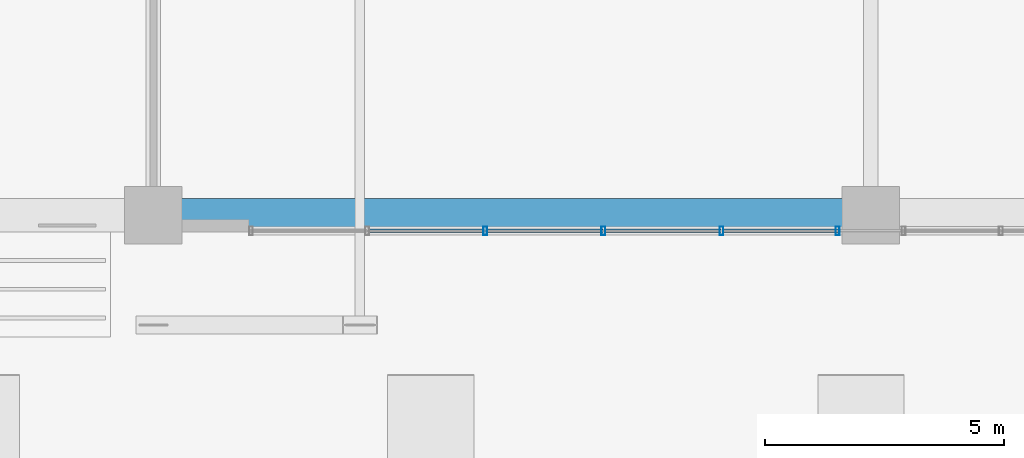
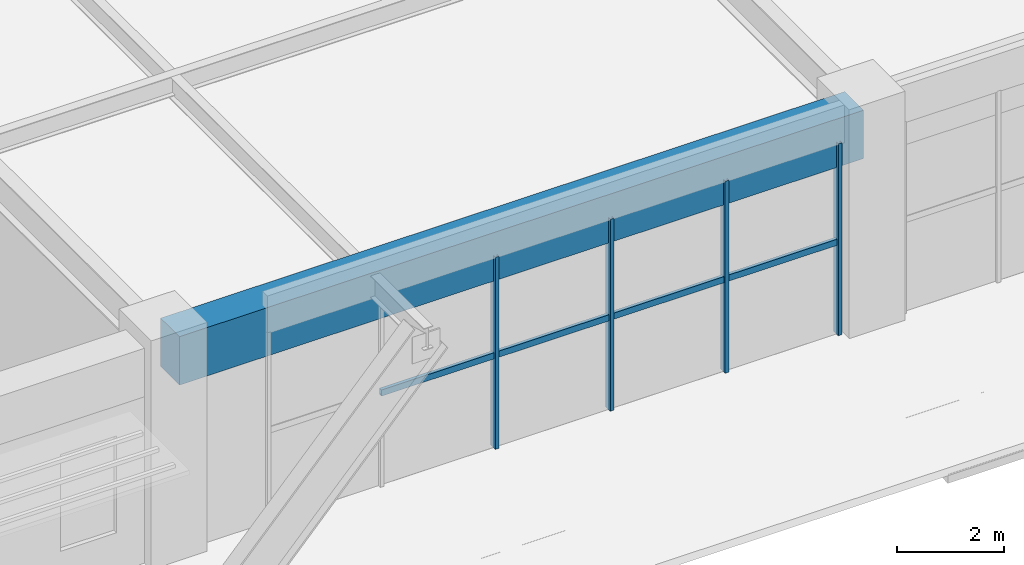
# One storey, part 6 of 40: 8 members, 1 beam, 1 element without a shape of its own.
"""IFC4 building model written with IfcOpenShell, lengths in metres."""

from ifc_helpers import new_model, si_unit, direction, frame, origin, origin_2d, place, context, subcontext, project, spatial, rectangle, hollow_rectangle, extrude, source, transform, mapped, material, material_profile, profile_set, type_object, element, aggregate, save


model = new_model("IFC4")

# Units and contexts
model_context = context("Model", 3, precision=1e-05, world=origin(), true_north=direction((0.0, 1.0)))
body_context = subcontext(model_context, "Body", "Model", "MODEL_VIEW")
ifc_project = project(units=[si_unit("LENGTHUNIT", "METRE"), si_unit("AREAUNIT", "SQUARE_METRE"), si_unit("VOLUMEUNIT", "CUBIC_METRE"), si_unit("PLANEANGLEUNIT", "RADIAN"), si_unit("MASSUNIT", "GRAM", prefix="KILO")], contexts=[model_context])

# Site, building, storey
site_placement = place(None, origin())
site = spatial("IfcSite", under=ifc_project, at=site_placement, CompositionType="ELEMENT")
building_placement = place(site_placement, origin())
building = spatial("IfcBuilding", under=site, at=building_placement, Name="Trelvane Seafront Commons", CompositionType="ELEMENT")
storey_placement = place(building_placement, origin())
storey = spatial("IfcBuildingStorey", under=building, at=storey_placement, Name="L00", CompositionType="ELEMENT", Elevation=0.0)

# Beam
ifc_material_1 = material(Name="Concrete C50/60", Category="concrete")
ifc_material_profile_1 = material_profile(ifc_material_1, rectangle(XDim=0.699951171875, YDim=1.10009765625, at=origin_2d()), Name="RC-700x1100")
ifc_profile_set_1 = profile_set([ifc_material_profile_1], Name="Concrete C50/60")
beam_type = type_object("IfcBeamType", Name="STR-TBM-RC700x1100", PredefinedType="T_BEAM", material=ifc_profile_set_1)
shared_shape_1 = source(origin(), body_context, "Body", "SweptSolid", [
    extrude(rectangle(XDim=0.699951171875, YDim=1.10009765625, at=origin_2d()), origin(), (0.0, 0.0, 1.0), 14.699951171875),
])
beam_placement = place(storey_placement, frame((15.75, 3.949951171875, 4.330078125), z_axis=(1.0, 0.0, 0.0), x_axis=(0.0, 1.0, 0.0)))
element("IfcBeam", 1, at=beam_placement, inside=storey, type_object=beam_type, Name="L00 Primary Girder G-03", PredefinedType="T_BEAM", context=body_context, shape_type="MappedRepresentation", body=[
    mapped(shared_shape_1, transform((0.0, 0.0, 0.0), x_axis=(1.0, 0.0, 0.0), y_axis=(0.0, 1.0, 0.0), z_axis=(0.0, 0.0, 1.0), scale=1.0)),
])

# Curtain wall, members
ifc_material_2 = material(Name="Anodised pale-silver aluminium", Category="aluminium")
curtain_wall_type = type_object("IfcCurtainWallType", Name="ARCH-CW1-PODIUM", PredefinedType="NOTDEFINED", material=ifc_material_2)
curtain_wall_placement = place(storey_placement, origin())
curtain_wall = element("IfcCurtainWall", 2, at=curtain_wall_placement, inside=storey, type_object=curtain_wall_type, Name="CW-L00-VPW-0004", PredefinedType="NOTDEFINED")
ifc_material_profile_2 = material_profile(ifc_material_2, hollow_rectangle(XDim=0.080078125, YDim=0.179931640625, WallThickness=0.00439453125, at=origin_2d()), Name="MULL-80x180x4.5")
ifc_profile_set_2 = profile_set([ifc_material_profile_2], Name="Anodised pale-silver aluminium")
member_type_1 = type_object("IfcMemberType", Name="ARCH-CW-MULL-180", PredefinedType="MULLION", material=ifc_profile_set_2)
shared_shape_2 = source(origin(), body_context, "Body", "SweptSolid", [
    extrude(hollow_rectangle(XDim=0.080078125, YDim=0.179931640625, WallThickness=0.00439453125, at=origin_2d()), origin(), (0.0, 0.0, 1.0), 4.360107421875),
])
member_1_placement = place(storey_placement, frame((29.909912109375, 3.6201171875, 0.0), z_axis=(0.0, 0.0, 1.0), x_axis=(1.0, 0.0, 0.0)))
member_1 = element("IfcMember", 3, at=member_1_placement, type_object=member_type_1, Name="CW-L00-VPW-0004-M00", PredefinedType="MULLION", context=body_context, shape_type="MappedRepresentation", body=[
    mapped(shared_shape_2, transform((0.0, 0.0, 0.0), x_axis=(1.0, 0.0, 0.0), y_axis=(0.0, 1.0, 0.0), z_axis=(0.0, 0.0, 1.0), scale=1.0)),
])
member_2_placement = place(storey_placement, frame((27.47998046875, 3.6201171875, 0.0), z_axis=(0.0, 0.0, 1.0), x_axis=(1.0, 0.0, 0.0)))
member_2 = element("IfcMember", 4, at=member_2_placement, type_object=member_type_1, Name="CW-L00-VPW-0004-M01", PredefinedType="MULLION", context=body_context, shape_type="MappedRepresentation", body=[
    mapped(shared_shape_2, transform((0.0, 0.0, 0.0), x_axis=(1.0, 0.0, 0.0), y_axis=(0.0, 1.0, 0.0), z_axis=(0.0, 0.0, 1.0), scale=1.0)),
])
member_3_placement = place(storey_placement, frame((25.010009765625, 3.6201171875, 0.0), z_axis=(0.0, 0.0, 1.0), x_axis=(1.0, 0.0, 0.0)))
member_3 = element("IfcMember", 5, at=member_3_placement, type_object=member_type_1, Name="CW-L00-VPW-0004-M02", PredefinedType="MULLION", context=body_context, shape_type="MappedRepresentation", body=[
    mapped(shared_shape_2, transform((0.0, 0.0, 0.0), x_axis=(1.0, 0.0, 0.0), y_axis=(0.0, 1.0, 0.0), z_axis=(0.0, 0.0, 1.0), scale=1.0)),
])
member_4_placement = place(storey_placement, frame((22.5400390625, 3.6201171875, 0.0), z_axis=(0.0, 0.0, 1.0), x_axis=(1.0, 0.0, 0.0)))
member_4 = element("IfcMember", 6, at=member_4_placement, type_object=member_type_1, Name="CW-L00-VPW-0004-M03", PredefinedType="MULLION", context=body_context, shape_type="MappedRepresentation", body=[
    mapped(shared_shape_2, transform((0.0, 0.0, 0.0), x_axis=(1.0, 0.0, 0.0), y_axis=(0.0, 1.0, 0.0), z_axis=(0.0, 0.0, 1.0), scale=1.0)),
])
ifc_material_profile_3 = material_profile(ifc_material_2, hollow_rectangle(XDim=0.074951171875, YDim=0.139892578125, WallThickness=0.00390625, at=origin_2d()), Name="TRAN-75x140x4")
ifc_profile_set_3 = profile_set([ifc_material_profile_3], Name="Anodised pale-silver aluminium")
member_type_2 = type_object("IfcMemberType", Name="ARCH-CW-TRAN-140", PredefinedType="USERDEFINED", material=ifc_profile_set_3)
shared_shape_3 = source(origin(), body_context, "Body", "SweptSolid", [
    extrude(hollow_rectangle(XDim=0.074951171875, YDim=0.139892578125, WallThickness=0.00390625, at=origin_2d()), origin(), (0.0, 0.0, 1.0), 2.446044921875),
])
member_5_placement = place(storey_placement, frame((29.93798828125, 3.6201171875, 2.093017578125), z_axis=(-1.0, 0.0, 0.0), x_axis=(0.0, -1.0, 0.0)))
member_5 = element("IfcMember", 7, at=member_5_placement, type_object=member_type_2, Name="CW-L00-VPW-0004-T00", ObjectType="TRANSOM", PredefinedType="USERDEFINED", context=body_context, shape_type="MappedRepresentation", body=[
    mapped(shared_shape_3, transform((0.0, 0.0, 0.0), x_axis=(1.0, 0.0, 0.0), y_axis=(0.0, 1.0, 0.0), z_axis=(0.0, 0.0, 1.0), scale=1.0)),
])
member_6_placement = place(storey_placement, frame((27.468017578125, 3.6201171875, 2.093017578125), z_axis=(-1.0, 0.0, 0.0), x_axis=(0.0, -1.0, 0.0)))
member_6 = element("IfcMember", 8, at=member_6_placement, type_object=member_type_2, Name="CW-L00-VPW-0004-T01", ObjectType="TRANSOM", PredefinedType="USERDEFINED", context=body_context, shape_type="MappedRepresentation", body=[
    mapped(shared_shape_3, transform((0.0, 0.0, 0.0), x_axis=(1.0, 0.0, 0.0), y_axis=(0.0, 1.0, 0.0), z_axis=(0.0, 0.0, 1.0), scale=1.0)),
])
member_7_placement = place(storey_placement, frame((24.998046875, 3.6201171875, 2.093017578125), z_axis=(-1.0, 0.0, 0.0), x_axis=(0.0, -1.0, 0.0)))
member_7 = element("IfcMember", 9, at=member_7_placement, type_object=member_type_2, Name="CW-L00-VPW-0004-T02", ObjectType="TRANSOM", PredefinedType="USERDEFINED", context=body_context, shape_type="MappedRepresentation", body=[
    mapped(shared_shape_3, transform((0.0, 0.0, 0.0), x_axis=(1.0, 0.0, 0.0), y_axis=(0.0, 1.0, 0.0), z_axis=(0.0, 0.0, 1.0), scale=1.0)),
])
member_8_placement = place(storey_placement, frame((22.528076171875, 3.6201171875, 2.093017578125), z_axis=(-1.0, 0.0, 0.0), x_axis=(0.0, -1.0, 0.0)))
member_8 = element("IfcMember", 10, at=member_8_placement, type_object=member_type_2, Name="CW-L00-VPW-0004-T03", ObjectType="TRANSOM", PredefinedType="USERDEFINED", context=body_context, shape_type="MappedRepresentation", body=[
    mapped(shared_shape_3, transform((0.0, 0.0, 0.0), x_axis=(1.0, 0.0, 0.0), y_axis=(0.0, 1.0, 0.0), z_axis=(0.0, 0.0, 1.0), scale=1.0)),
])
aggregate(curtain_wall, [member_1, member_2, member_3, member_4, member_5, member_6, member_7, member_8])

save(model, "model.ifc")
